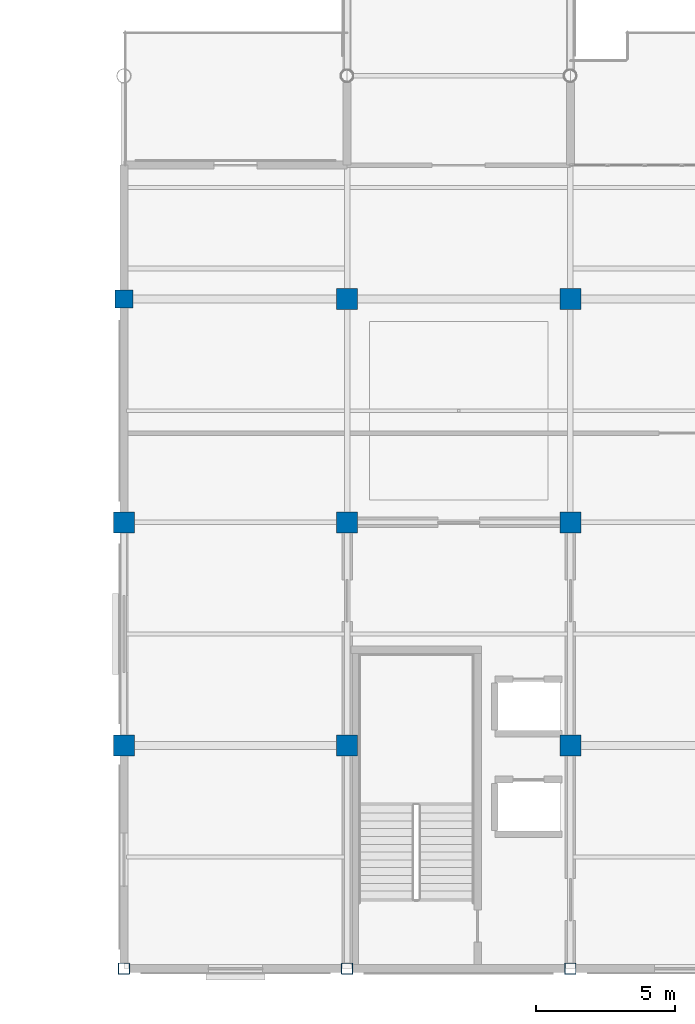
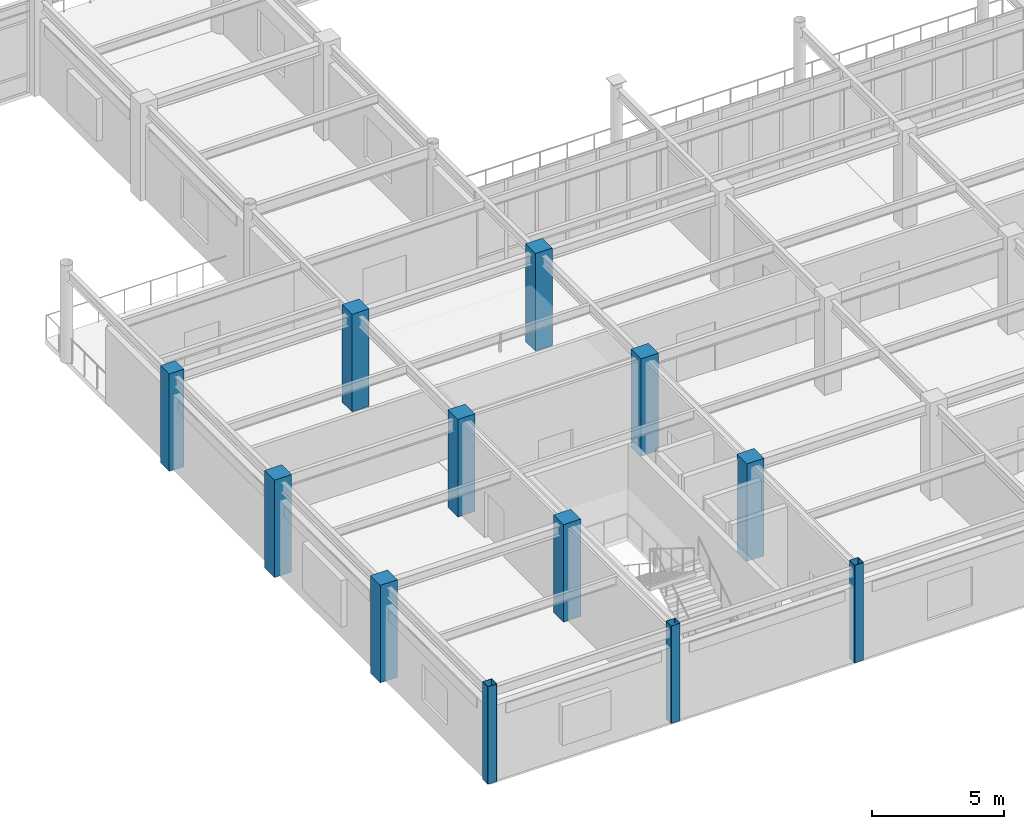
# One storey, part 1 of 75: 12 columns.
"""IFC4 building model written with IfcOpenShell, lengths in metres."""

from ifc_helpers import new_model, si_unit, direction, frame, origin, origin_2d, place, context, subcontext, project, spatial, rectangle, hollow_rectangle, extrude, material, material_profile, profile_set, type_object, element, save


model = new_model("IFC4")

# Units and contexts
model_context = context("Model", 3, precision=1e-05, world=origin(), true_north=direction((0.0, 1.0)))
body_context = subcontext(model_context, "Body", "Model", "MODEL_VIEW")
ifc_project = project(units=[si_unit("LENGTHUNIT", "METRE"), si_unit("AREAUNIT", "SQUARE_METRE"), si_unit("VOLUMEUNIT", "CUBIC_METRE"), si_unit("PLANEANGLEUNIT", "RADIAN"), si_unit("MASSUNIT", "GRAM", prefix="KILO")], contexts=[model_context])

# Site, building, storey
site_placement = place(None, origin())
site = spatial("IfcSite", under=ifc_project, at=site_placement, CompositionType="ELEMENT")
building_placement = place(site_placement, origin())
building = spatial("IfcBuilding", under=site, at=building_placement, Name="Solmirada Galleria", CompositionType="ELEMENT")
storey_placement = place(building_placement, frame((0.0, 0.0, 19.39990234375)))
storey = spatial("IfcBuildingStorey", under=building, at=storey_placement, Name="L04", CompositionType="ELEMENT", Elevation=19.39990234375)

# Columns
ifc_material_1 = material(Name="Steel S355 / ASTM A500 Grade C", Category="steel")
ifc_material_profile_1 = material_profile(ifc_material_1, hollow_rectangle(XDim=0.406005859375, YDim=0.406005859375, WallThickness=0.0146484375, InnerFilletRadius=0.0146484375, OuterFilletRadius=0.029296875, at=origin_2d()), Name="HSS16X16X5/8")
ifc_profile_set_1 = profile_set([ifc_material_profile_1], Name="Steel S355 / ASTM A500 Grade C")
column_type_1 = type_object("IfcColumnType", Name="COL-HSS16", PredefinedType="COLUMN", material=ifc_profile_set_1)
for number, where, z_axis, x_axis, name in (
    (1, (80.0, 0.0, 0.0), (0.0, 0.0, 1.0), (1.0, 0.0, 0.0), "Structural column L04-0350"),
    (2, (88.0, 0.0, 0.0), (0.0, 0.0, 1.0), (1.0, 0.0, 0.0), "Structural column L04-0467"),
    (3, (96.0, 0.0, 0.0), (0.0, 0.0, 1.0), (1.0, 0.0, 0.0), "Structural column L04-0589"),
):
    element("IfcColumn", number, at=place(storey_placement, frame(where, z_axis=z_axis, x_axis=x_axis)), inside=storey, type_object=column_type_1, Name=name, PredefinedType="COLUMN", context=body_context, shape_type="SweptSolid", body=[
        extrude(hollow_rectangle(XDim=0.406005859375, YDim=0.406005859375, WallThickness=0.0146484375, InnerFilletRadius=0.0146484375, OuterFilletRadius=0.029296875, at=origin_2d()), origin(), (0.0, 0.0, 1.0), 4.5),
    ])
ifc_material_2 = material(Name="Concrete C40/50", Category="concrete")
ifc_material_profile_2 = material_profile(ifc_material_2, rectangle(XDim=0.64990234375, YDim=0.64990234375, at=origin_2d()), Name="RC650X650")
ifc_profile_set_2 = profile_set([ifc_material_profile_2], Name="Concrete C40/50")
column_type_2 = type_object("IfcColumnType", Name="COL-RC650", PredefinedType="COLUMN", material=ifc_profile_set_2)
column_placement = place(storey_placement, frame((80.0, 24.0, 0.0), z_axis=(0.0, 0.0, 1.0), x_axis=(1.0, 0.0, 0.0)))
element("IfcColumn", 4, at=column_placement, inside=storey, type_object=column_type_2, Name="Structural column L04-0374", PredefinedType="COLUMN", context=body_context, shape_type="SweptSolid", body=[
    extrude(rectangle(XDim=0.64990234375, YDim=0.64990234375, at=origin_2d()), origin(), (0.0, 0.0, 1.0), 4.5),
])
ifc_material_profile_3 = material_profile(ifc_material_2, rectangle(XDim=0.75, YDim=0.75, at=origin_2d()), Name="RC750X750")
ifc_profile_set_3 = profile_set([ifc_material_profile_3], Name="Concrete C40/50")
column_type_3 = type_object("IfcColumnType", Name="COL-RC750", PredefinedType="COLUMN", material=ifc_profile_set_3)
for number, where, z_axis, x_axis, name in (
    (5, (80.0, 8.0, 0.0), (0.0, 0.0, 1.0), (1.0, 0.0, 0.0), "Structural column L04-0358"),
    (6, (80.0, 16.0, 0.0), (0.0, 0.0, 1.0), (1.0, 0.0, 0.0), "Structural column L04-0366"),
    (7, (88.0, 8.0, 0.0), (0.0, 0.0, 1.0), (1.0, 0.0, 0.0), "Structural column L04-0475"),
    (8, (88.0, 16.0, 0.0), (0.0, 0.0, 1.0), (1.0, 0.0, 0.0), "Structural column L04-0483"),
    (9, (88.0, 24.0, 0.0), (0.0, 0.0, 1.0), (1.0, 0.0, 0.0), "Structural column L04-0491"),
    (10, (96.0, 8.0, 0.0), (0.0, 0.0, 1.0), (1.0, 0.0, 0.0), "Structural column L04-0597"),
    (11, (96.0, 16.0, 0.0), (0.0, 0.0, 1.0), (1.0, 0.0, 0.0), "Structural column L04-0605"),
    (12, (96.0, 24.0, 0.0), (0.0, 0.0, 1.0), (1.0, 0.0, 0.0), "Structural column L04-0613"),
):
    element("IfcColumn", number, at=place(storey_placement, frame(where, z_axis=z_axis, x_axis=x_axis)), inside=storey, type_object=column_type_3, Name=name, PredefinedType="COLUMN", context=body_context, shape_type="SweptSolid", body=[
        extrude(rectangle(XDim=0.75, YDim=0.75, at=origin_2d()), origin(), (0.0, 0.0, 1.0), 4.5),
    ])

save(model, "model.ifc")
